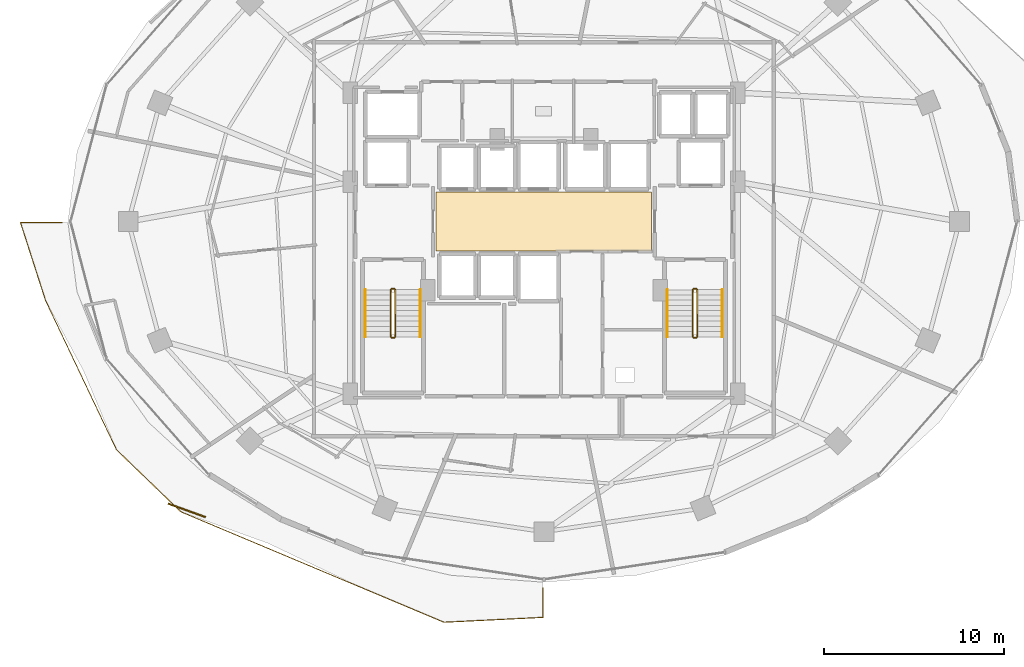
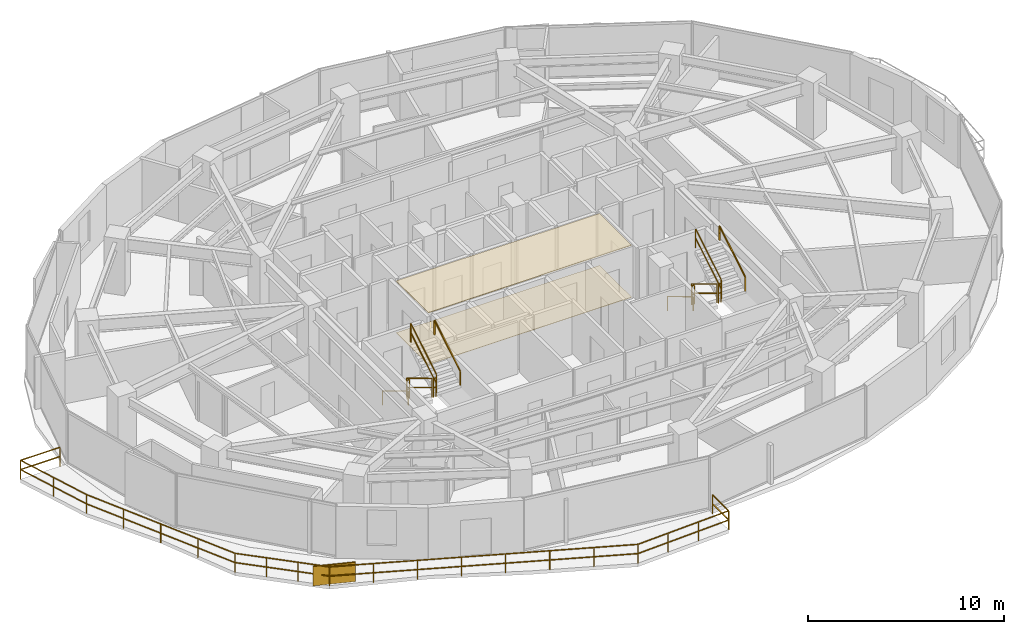
# One storey, part 28 of 30: 14 railings, 2 coverings, 1 shading device.
"""IFC4 building model written with IfcOpenShell, lengths in metres."""

from ifc_helpers import new_model, si_unit, direction, frame, origin, origin_2d, place, context, subcontext, project, spatial, polyline, rectangle, outline, extrude, material, layer, layer_set, type_object, element, save


model = new_model("IFC4")

# Units and contexts
model_context = context("Model", 3, precision=1e-05, world=origin(), true_north=direction((0.0, 1.0)))
body_context = subcontext(model_context, "Body", "Model", "MODEL_VIEW")
ifc_project = project(units=[si_unit("LENGTHUNIT", "METRE"), si_unit("AREAUNIT", "SQUARE_METRE"), si_unit("VOLUMEUNIT", "CUBIC_METRE"), si_unit("PLANEANGLEUNIT", "RADIAN"), si_unit("MASSUNIT", "GRAM", prefix="KILO")], contexts=[model_context])

# Site, building, storey
site_placement = place(None, origin())
site = spatial("IfcSite", under=ifc_project, at=site_placement, CompositionType="ELEMENT")
building_placement = place(site_placement, origin())
building = spatial("IfcBuilding", under=site, at=building_placement, Name="Vorneva Point Tower", CompositionType="ELEMENT")
storey_placement = place(building_placement, frame((0.0, 0.0, 78.800048828125)))
storey = spatial("IfcBuildingStorey", under=building, at=storey_placement, Name="L20", CompositionType="ELEMENT", Elevation=78.800048828125)

# Coverings
ifc_material_1 = material(Name="Perforated acoustic aluminium baffle ceiling", Category="aluminium")
ifc_layer_1 = layer(ifc_material_1, 0.030029296875)
ifc_layer_set_1 = layer_set([ifc_layer_1], Name="Perforated acoustic aluminium baffle ceiling")
covering_type_1 = type_object("IfcCoveringType", Name="COV-CEIL-BAF", PredefinedType="CEILING", material=ifc_layer_set_1)
covering_1_placement = place(storey_placement, frame((0.0, 0.0, 3.2099609375)))
element("IfcCovering", 1, at=covering_1_placement, inside=storey, type_object=covering_type_1, Name="L20 Lift Lobby Acoustic Baffle Ceiling", PredefinedType="CEILING", context=body_context, shape_type="SweptSolid", body=[
    extrude(outline(polyline([(32.02001953125, 24.3701171875), (43.97998046875, 24.3701171875), (43.97998046875, 27.6298828125), (32.02001953125, 27.6298828125), (32.02001953125, 24.3701171875)])), origin(), (0.0, 0.0, 1.0), 0.034912109375),
])
ifc_material_2 = material(Name="Acoustic wool hospitality carpet", Category="textile")
ifc_layer_2 = layer(ifc_material_2, 0.01806640625)
ifc_layer_set_2 = layer_set([ifc_layer_2], Name="Acoustic wool hospitality carpet")
covering_type_2 = type_object("IfcCoveringType", Name="COV-FLR-CRP", PredefinedType="FLOORING", material=ifc_layer_set_2)
covering_2_placement = place(storey_placement, frame((0.0, 0.0, -0.005126953125)))
element("IfcCovering", 2, at=covering_2_placement, inside=storey, type_object=covering_type_2, Name="L20 Lift Lobby Floor Finish", PredefinedType="FLOORING", context=body_context, shape_type="SweptSolid", body=[
    extrude(outline(polyline([(32.02001953125, 24.3701171875), (43.97998046875, 24.3701171875), (43.97998046875, 27.6298828125), (32.02001953125, 27.6298828125), (32.02001953125, 24.3701171875)])), origin(), (0.0, 0.0, 1.0), 0.023193359375),
])

# Railings
ifc_material_3 = material(Name="Pale anodised aluminium", Category="aluminium")
railing_type_1 = type_object("IfcRailingType", Name="RL-BAL-1200", PredefinedType="BALUSTRADE", material=ifc_material_3)
railing_1_placement = place(storey_placement, frame((37.949951171875, 4.047607421875, 0.0)))
element("IfcRailing", 3, at=railing_1_placement, inside=storey, type_object=railing_type_1, Name="L20 Wave Balcony Balustrade SW.1", PredefinedType="BALUSTRADE", context=body_context, shape_type="SweptSolid", body=[
    extrude(rectangle(XDim=0.048095703125, YDim=0.048095703125, at=origin_2d()), frame((0.0, 0.0, 1.17578125), z_axis=(0.0, 1.0, 0.0), x_axis=(-1.0, 0.0, 0.0)), (0.0, 0.0, 1.0), 1.63525390625),
    extrude(rectangle(XDim=0.048095703125, YDim=0.048095703125, at=origin_2d()), frame((0.0, 0.0, 0.60009765625), z_axis=(0.0, 1.0, 0.0), x_axis=(-1.0, 0.0, 0.0)), (0.0, 0.0, 1.0), 1.63525390625),
    extrude(rectangle(XDim=0.0419921875, YDim=0.0419921875, at=origin_2d()), origin(), (0.0, 0.0, 1.0), 1.15185546875),
    extrude(rectangle(XDim=0.0419921875, YDim=0.0419921875, at=origin_2d()), frame((0.0, 1.63525390625, 0.0)), (0.0, 0.0, 1.0), 1.15185546875),
])
railing_2_placement = place(storey_placement, frame((11.28369140625, 25.949951171875, 0.0)))
element("IfcRailing", 4, at=railing_2_placement, inside=storey, type_object=railing_type_1, Name="L20 Wave Balcony Balustrade SW.2", PredefinedType="BALUSTRADE", context=body_context, shape_type="SweptSolid", body=[
    extrude(rectangle(XDim=0.048095703125, YDim=0.048095703125, at=origin_2d()), frame((0.0, 0.0, 1.17578125), z_axis=(-1.0, 0.0, 0.0), x_axis=(0.0, -1.0, 0.0)), (0.0, 0.0, 1.0), 2.317626953125),
    extrude(rectangle(XDim=0.048095703125, YDim=0.048095703125, at=origin_2d()), frame((0.0, 0.0, 0.60009765625), z_axis=(-1.0, 0.0, 0.0), x_axis=(0.0, -1.0, 0.0)), (0.0, 0.0, 1.0), 2.317626953125),
    extrude(rectangle(XDim=0.048095703125, YDim=0.048095703125, at=origin_2d()), frame((-2.317626953125, 0.0, 1.17578125), z_axis=(0.306234224513, -0.951956196333, 0.0), x_axis=(0.951956196333, 0.306234224513, 0.0)), (0.0, 0.0, 1.0), 4.52978515625),
    extrude(rectangle(XDim=0.048095703125, YDim=0.048095703125, at=origin_2d()), frame((-2.317626953125, 0.0, 0.60009765625), z_axis=(0.306234224513, -0.951956196333, 0.0), x_axis=(0.951956196333, 0.306234224513, 0.0)), (0.0, 0.0, 1.0), 4.52978515625),
    extrude(rectangle(XDim=0.048095703125, YDim=0.048095703125, at=origin_2d()), frame((-0.930419921875, -4.312255859375, 1.17578125), z_axis=(0.429165789388, -0.903225733258, 0.0), x_axis=(0.903225733258, 0.429165789388, 0.0)), (0.0, 0.0, 1.0), 9.18505859375),
    extrude(rectangle(XDim=0.048095703125, YDim=0.048095703125, at=origin_2d()), frame((-0.930419921875, -4.312255859375, 0.60009765625), z_axis=(0.429165789388, -0.903225733258, 0.0), x_axis=(0.903225733258, 0.429165789388, 0.0)), (0.0, 0.0, 1.0), 9.18505859375),
    extrude(rectangle(XDim=0.048095703125, YDim=0.048095703125, at=origin_2d()), frame((3.011474609375, -12.6083984375, 1.17578125), z_axis=(0.719945589265, -0.694030509775, 0.0), x_axis=(0.694030509775, 0.719945589265, 0.0)), (0.0, 0.0, 1.0), 4.94580078125),
    extrude(rectangle(XDim=0.048095703125, YDim=0.048095703125, at=origin_2d()), frame((3.011474609375, -12.6083984375, 0.60009765625), z_axis=(0.719945589265, -0.694030509775, 0.0), x_axis=(0.694030509775, 0.719945589265, 0.0)), (0.0, 0.0, 1.0), 4.94580078125),
    extrude(rectangle(XDim=0.048095703125, YDim=0.048095703125, at=origin_2d()), frame((6.572265625, -16.041015625, 1.17578125), z_axis=(0.921993663764, -0.387204963784, 0.0), x_axis=(0.387204963784, 0.921993663764, 0.0)), (0.0, 0.0, 1.0), 15.836181640625),
    extrude(rectangle(XDim=0.048095703125, YDim=0.048095703125, at=origin_2d()), frame((6.572265625, -16.041015625, 0.60009765625), z_axis=(0.921993663764, -0.387204963784, 0.0), x_axis=(0.387204963784, 0.921993663764, 0.0)), (0.0, 0.0, 1.0), 15.836181640625),
    extrude(rectangle(XDim=0.048095703125, YDim=0.048095703125, at=origin_2d()), frame((21.173095703125, -22.1728515625, 1.17578125), z_axis=(0.998789693161, 0.049184843557, 0.0), x_axis=(-0.049184843557, 0.998789693161, 0.0)), (0.0, 0.0, 1.0), 5.499755859375),
    extrude(rectangle(XDim=0.048095703125, YDim=0.048095703125, at=origin_2d()), frame((21.173095703125, -22.1728515625, 0.60009765625), z_axis=(0.998789693161, 0.049184843557, 0.0), x_axis=(-0.049184843557, 0.998789693161, 0.0)), (0.0, 0.0, 1.0), 5.499755859375),
    extrude(rectangle(XDim=0.0419921875, YDim=0.0419921875, at=origin_2d()), origin(), (0.0, 0.0, 1.0), 1.15185546875),
    extrude(rectangle(XDim=0.0419921875, YDim=0.0419921875, at=origin_2d()), frame((-2.317626953125, 0.0, 0.0)), (0.0, 0.0, 1.0), 1.15185546875),
    extrude(rectangle(XDim=0.0419921875, YDim=0.0419921875, at=origin_2d()), frame((-1.6240234375, -2.15625, 0.0)), (0.0, 0.0, 1.0), 1.15185546875),
    extrude(rectangle(XDim=0.0419921875, YDim=0.0419921875, at=origin_2d()), frame((-0.930419921875, -4.312255859375, 0.0)), (0.0, 0.0, 1.0), 1.15185546875),
    extrude(rectangle(XDim=0.0419921875, YDim=0.0419921875, at=origin_2d()), frame((0.05517578125, -6.38623046875, 0.0)), (0.0, 0.0, 1.0), 1.15185546875),
    extrude(rectangle(XDim=0.0419921875, YDim=0.0419921875, at=origin_2d()), frame((1.04052734375, -8.46044921875, 0.0)), (0.0, 0.0, 1.0), 1.15185546875),
    extrude(rectangle(XDim=0.0419921875, YDim=0.0419921875, at=origin_2d()), frame((2.02587890625, -10.534423828125, 0.0)), (0.0, 0.0, 1.0), 1.15185546875),
    extrude(rectangle(XDim=0.0419921875, YDim=0.0419921875, at=origin_2d()), frame((3.011474609375, -12.6083984375, 0.0)), (0.0, 0.0, 1.0), 1.15185546875),
    extrude(rectangle(XDim=0.0419921875, YDim=0.0419921875, at=origin_2d()), frame((4.198486328125, -13.752685546875, 0.0)), (0.0, 0.0, 1.0), 1.15185546875),
    extrude(rectangle(XDim=0.0419921875, YDim=0.0419921875, at=origin_2d()), frame((5.38525390625, -14.896728515625, 0.0)), (0.0, 0.0, 1.0), 1.15185546875),
    extrude(rectangle(XDim=0.0419921875, YDim=0.0419921875, at=origin_2d()), frame((6.572265625, -16.041015625, 0.0)), (0.0, 0.0, 1.0), 1.15185546875),
    extrude(rectangle(XDim=0.0419921875, YDim=0.0419921875, at=origin_2d()), frame((8.658203125, -16.9169921875, 0.0)), (0.0, 0.0, 1.0), 1.15185546875),
    extrude(rectangle(XDim=0.0419921875, YDim=0.0419921875, at=origin_2d()), frame((10.743896484375, -17.79296875, 0.0)), (0.0, 0.0, 1.0), 1.15185546875),
    extrude(rectangle(XDim=0.0419921875, YDim=0.0419921875, at=origin_2d()), frame((12.829833984375, -18.6689453125, 0.0)), (0.0, 0.0, 1.0), 1.15185546875),
    extrude(rectangle(XDim=0.0419921875, YDim=0.0419921875, at=origin_2d()), frame((14.91552734375, -19.544921875, 0.0)), (0.0, 0.0, 1.0), 1.15185546875),
    extrude(rectangle(XDim=0.0419921875, YDim=0.0419921875, at=origin_2d()), frame((17.00146484375, -20.4208984375, 0.0)), (0.0, 0.0, 1.0), 1.15185546875),
    extrude(rectangle(XDim=0.0419921875, YDim=0.0419921875, at=origin_2d()), frame((19.087158203125, -21.296875, 0.0)), (0.0, 0.0, 1.0), 1.15185546875),
    extrude(rectangle(XDim=0.0419921875, YDim=0.0419921875, at=origin_2d()), frame((21.173095703125, -22.1728515625, 0.0)), (0.0, 0.0, 1.0), 1.15185546875),
    extrude(rectangle(XDim=0.0419921875, YDim=0.0419921875, at=origin_2d()), frame((23.004150390625, -22.082763671875, 0.0)), (0.0, 0.0, 1.0), 1.15185546875),
    extrude(rectangle(XDim=0.0419921875, YDim=0.0419921875, at=origin_2d()), frame((24.835205078125, -21.992431640625, 0.0)), (0.0, 0.0, 1.0), 1.15185546875),
    extrude(rectangle(XDim=0.0419921875, YDim=0.0419921875, at=origin_2d()), frame((26.666259765625, -21.90234375, 0.0)), (0.0, 0.0, 1.0), 1.15185546875),
])
ifc_material_4 = material(Name="Brushed stainless steel S304", Category="steel")
railing_type_2 = type_object("IfcRailingType", Name="RL-HND-920", PredefinedType="HANDRAIL", material=ifc_material_4)
railing_3_placement = place(storey_placement, frame((28.10009765625, 22.219970703125, 0.175048828125)))
element("IfcRailing", 5, at=railing_3_placement, inside=storey, type_object=railing_type_2, Name="L20 ST1 stair handrail 1", PredefinedType="HANDRAIL", context=body_context, shape_type="SweptSolid", body=[
    extrude(rectangle(XDim=0.048095703125, YDim=0.048095703125, at=origin_2d()), frame((0.0, 0.0, 0.8759765625), z_axis=(0.0, -0.85618277418, 0.516673066065), x_axis=(1.0, 0.0, 0.0)), (0.0, 0.0, 1.0), 3.04833984375),
    extrude(rectangle(XDim=0.0419921875, YDim=0.0419921875, at=origin_2d()), origin(), (0.0, 0.0, 1.0), 0.851806640625),
    extrude(rectangle(XDim=0.0419921875, YDim=0.0419921875, at=origin_2d()), frame((0.0, -2.60986328125, 1.574951171875)), (0.0, 0.0, 1.0), 0.851806640625),
])
railing_4_placement = place(storey_placement, frame((31.14990234375, 19.610107421875, 1.925048828125)))
element("IfcRailing", 6, at=railing_4_placement, inside=storey, type_object=railing_type_2, Name="L20 ST1 stair handrail 2", PredefinedType="HANDRAIL", context=body_context, shape_type="SweptSolid", body=[
    extrude(rectangle(XDim=0.048095703125, YDim=0.048095703125, at=origin_2d()), frame((0.0, 0.0, 0.8759765625), z_axis=(0.0, 0.85618277418, 0.516673066065), x_axis=(-1.0, 0.0, 0.0)), (0.0, 0.0, 1.0), 3.04833984375),
    extrude(rectangle(XDim=0.0419921875, YDim=0.0419921875, at=origin_2d()), origin(), (0.0, 0.0, 1.0), 0.851806640625),
    extrude(rectangle(XDim=0.0419921875, YDim=0.0419921875, at=origin_2d()), frame((0.0, 2.60986328125, 1.574951171875)), (0.0, 0.0, 1.0), 0.851806640625),
])
railing_5_placement = place(storey_placement, frame((44.85009765625, 22.219970703125, 0.175048828125)))
element("IfcRailing", 7, at=railing_5_placement, inside=storey, type_object=railing_type_2, Name="L20 ST2 stair handrail 1", PredefinedType="HANDRAIL", context=body_context, shape_type="SweptSolid", body=[
    extrude(rectangle(XDim=0.048095703125, YDim=0.048095703125, at=origin_2d()), frame((0.0, 0.0, 0.8759765625), z_axis=(0.0, -0.85618277418, 0.516673066065), x_axis=(1.0, 0.0, 0.0)), (0.0, 0.0, 1.0), 3.04833984375),
    extrude(rectangle(XDim=0.0419921875, YDim=0.0419921875, at=origin_2d()), origin(), (0.0, 0.0, 1.0), 0.851806640625),
    extrude(rectangle(XDim=0.0419921875, YDim=0.0419921875, at=origin_2d()), frame((0.0, -2.60986328125, 1.574951171875)), (0.0, 0.0, 1.0), 0.851806640625),
])
railing_6_placement = place(storey_placement, frame((47.89990234375, 19.610107421875, 1.925048828125)))
element("IfcRailing", 8, at=railing_6_placement, inside=storey, type_object=railing_type_2, Name="L20 ST2 stair handrail 2", PredefinedType="HANDRAIL", context=body_context, shape_type="SweptSolid", body=[
    extrude(rectangle(XDim=0.048095703125, YDim=0.048095703125, at=origin_2d()), frame((0.0, 0.0, 0.8759765625), z_axis=(0.0, 0.85618277418, 0.516673066065), x_axis=(-1.0, 0.0, 0.0)), (0.0, 0.0, 1.0), 3.04833984375),
    extrude(rectangle(XDim=0.0419921875, YDim=0.0419921875, at=origin_2d()), origin(), (0.0, 0.0, 1.0), 0.851806640625),
    extrude(rectangle(XDim=0.0419921875, YDim=0.0419921875, at=origin_2d()), frame((0.0, 2.60986328125, 1.574951171875)), (0.0, 0.0, 1.0), 0.851806640625),
])
railing_type_3 = type_object("IfcRailingType", Name="RL-STG-1100", PredefinedType="GUARDRAIL", material=ifc_material_4)
railing_7_placement = place(storey_placement, frame((29.5, 22.219970703125, 0.175048828125)))
element("IfcRailing", 9, at=railing_7_placement, inside=storey, type_object=railing_type_3, Name="L20 ST1 stair guard 1", PredefinedType="GUARDRAIL", context=body_context, shape_type="SweptSolid", body=[
    extrude(rectangle(XDim=0.048095703125, YDim=0.048095703125, at=origin_2d()), frame((0.0, 0.0, 1.17578125), z_axis=(0.0, -0.85618277418, 0.516673066065), x_axis=(1.0, 0.0, 0.0)), (0.0, 0.0, 1.0), 3.04833984375),
    extrude(rectangle(XDim=0.048095703125, YDim=0.048095703125, at=origin_2d()), frame((0.0, 0.0, 0.60009765625), z_axis=(0.0, -0.85618277418, 0.516673066065), x_axis=(1.0, 0.0, 0.0)), (0.0, 0.0, 1.0), 3.04833984375),
    extrude(rectangle(XDim=0.0419921875, YDim=0.0419921875, at=origin_2d()), origin(), (0.0, 0.0, 1.0), 1.15185546875),
    extrude(rectangle(XDim=0.0419921875, YDim=0.0419921875, at=origin_2d()), frame((0.0, -2.60986328125, 1.574951171875)), (0.0, 0.0, 1.0), 1.15185546875),
])
railing_8_placement = place(storey_placement, frame((29.550048828125, 19.56005859375, 1.75)))
element("IfcRailing", 10, at=railing_8_placement, inside=storey, type_object=railing_type_3, Name="L20 ST1 stair guard 2", PredefinedType="GUARDRAIL", context=body_context, shape_type="SweptSolid", body=[
    extrude(rectangle(XDim=0.048095703125, YDim=0.048095703125, at=origin_2d()), frame((0.0, 0.0, 1.17578125), z_axis=(1.0, 0.0, 0.0), x_axis=(0.0, 1.0, 0.0)), (0.0, 0.0, 1.0), 0.14990234375),
    extrude(rectangle(XDim=0.048095703125, YDim=0.048095703125, at=origin_2d()), frame((0.0, 0.0, 0.60009765625), z_axis=(1.0, 0.0, 0.0), x_axis=(0.0, 1.0, 0.0)), (0.0, 0.0, 1.0), 0.14990234375),
    extrude(rectangle(XDim=0.0419921875, YDim=0.0419921875, at=origin_2d()), origin(), (0.0, 0.0, 1.0), 1.15185546875),
    extrude(rectangle(XDim=0.0419921875, YDim=0.0419921875, at=origin_2d()), frame((0.14990234375, 0.0, 0.0)), (0.0, 0.0, 1.0), 1.15185546875),
])
railing_9_placement = place(storey_placement, frame((29.75, 19.610107421875, 1.925048828125)))
element("IfcRailing", 11, at=railing_9_placement, inside=storey, type_object=railing_type_3, Name="L20 ST1 stair guard 3", PredefinedType="GUARDRAIL", context=body_context, shape_type="SweptSolid", body=[
    extrude(rectangle(XDim=0.048095703125, YDim=0.048095703125, at=origin_2d()), frame((0.0, 0.0, 1.17578125), z_axis=(0.0, 0.85618277418, 0.516673066065), x_axis=(-1.0, 0.0, 0.0)), (0.0, 0.0, 1.0), 3.04833984375),
    extrude(rectangle(XDim=0.048095703125, YDim=0.048095703125, at=origin_2d()), frame((0.0, 0.0, 0.60009765625), z_axis=(0.0, 0.85618277418, 0.516673066065), x_axis=(-1.0, 0.0, 0.0)), (0.0, 0.0, 1.0), 3.04833984375),
    extrude(rectangle(XDim=0.0419921875, YDim=0.0419921875, at=origin_2d()), origin(), (0.0, 0.0, 1.0), 1.15185546875),
    extrude(rectangle(XDim=0.0419921875, YDim=0.0419921875, at=origin_2d()), frame((0.0, 2.60986328125, 1.574951171875)), (0.0, 0.0, 1.0), 1.15185546875),
])
railing_10_placement = place(storey_placement, frame((29.550048828125, 22.27001953125, 0.0)))
element("IfcRailing", 12, at=railing_10_placement, inside=storey, type_object=railing_type_3, Name="L20 ST1 stair guard 4", PredefinedType="GUARDRAIL", context=body_context, shape_type="SweptSolid", body=[
    extrude(rectangle(XDim=0.048095703125, YDim=0.048095703125, at=origin_2d()), frame((0.0, 0.0, 1.17578125), z_axis=(1.0, 0.0, 0.0), x_axis=(0.0, 1.0, 0.0)), (0.0, 0.0, 1.0), 0.14990234375),
    extrude(rectangle(XDim=0.048095703125, YDim=0.048095703125, at=origin_2d()), frame((0.0, 0.0, 0.60009765625), z_axis=(1.0, 0.0, 0.0), x_axis=(0.0, 1.0, 0.0)), (0.0, 0.0, 1.0), 0.14990234375),
    extrude(rectangle(XDim=0.0419921875, YDim=0.0419921875, at=origin_2d()), origin(), (0.0, 0.0, 1.0), 1.15185546875),
    extrude(rectangle(XDim=0.0419921875, YDim=0.0419921875, at=origin_2d()), frame((0.14990234375, 0.0, 0.0)), (0.0, 0.0, 1.0), 1.15185546875),
])
railing_11_placement = place(storey_placement, frame((46.25, 22.219970703125, 0.175048828125)))
element("IfcRailing", 13, at=railing_11_placement, inside=storey, type_object=railing_type_3, Name="L20 ST2 stair guard 1", PredefinedType="GUARDRAIL", context=body_context, shape_type="SweptSolid", body=[
    extrude(rectangle(XDim=0.048095703125, YDim=0.048095703125, at=origin_2d()), frame((0.0, 0.0, 1.17578125), z_axis=(0.0, -0.85618277418, 0.516673066065), x_axis=(1.0, 0.0, 0.0)), (0.0, 0.0, 1.0), 3.04833984375),
    extrude(rectangle(XDim=0.048095703125, YDim=0.048095703125, at=origin_2d()), frame((0.0, 0.0, 0.60009765625), z_axis=(0.0, -0.85618277418, 0.516673066065), x_axis=(1.0, 0.0, 0.0)), (0.0, 0.0, 1.0), 3.04833984375),
    extrude(rectangle(XDim=0.0419921875, YDim=0.0419921875, at=origin_2d()), origin(), (0.0, 0.0, 1.0), 1.15185546875),
    extrude(rectangle(XDim=0.0419921875, YDim=0.0419921875, at=origin_2d()), frame((0.0, -2.60986328125, 1.574951171875)), (0.0, 0.0, 1.0), 1.15185546875),
])
railing_12_placement = place(storey_placement, frame((46.300048828125, 19.56005859375, 1.75)))
element("IfcRailing", 14, at=railing_12_placement, inside=storey, type_object=railing_type_3, Name="L20 ST2 stair guard 2", PredefinedType="GUARDRAIL", context=body_context, shape_type="SweptSolid", body=[
    extrude(rectangle(XDim=0.048095703125, YDim=0.048095703125, at=origin_2d()), frame((0.0, 0.0, 1.17578125), z_axis=(1.0, 0.0, 0.0), x_axis=(0.0, 1.0, 0.0)), (0.0, 0.0, 1.0), 0.14990234375),
    extrude(rectangle(XDim=0.048095703125, YDim=0.048095703125, at=origin_2d()), frame((0.0, 0.0, 0.60009765625), z_axis=(1.0, 0.0, 0.0), x_axis=(0.0, 1.0, 0.0)), (0.0, 0.0, 1.0), 0.14990234375),
    extrude(rectangle(XDim=0.0419921875, YDim=0.0419921875, at=origin_2d()), origin(), (0.0, 0.0, 1.0), 1.15185546875),
    extrude(rectangle(XDim=0.0419921875, YDim=0.0419921875, at=origin_2d()), frame((0.14990234375, 0.0, 0.0)), (0.0, 0.0, 1.0), 1.15185546875),
])
railing_13_placement = place(storey_placement, frame((46.5, 19.610107421875, 1.925048828125)))
element("IfcRailing", 15, at=railing_13_placement, inside=storey, type_object=railing_type_3, Name="L20 ST2 stair guard 3", PredefinedType="GUARDRAIL", context=body_context, shape_type="SweptSolid", body=[
    extrude(rectangle(XDim=0.048095703125, YDim=0.048095703125, at=origin_2d()), frame((0.0, 0.0, 1.17578125), z_axis=(0.0, 0.85618277418, 0.516673066065), x_axis=(-1.0, 0.0, 0.0)), (0.0, 0.0, 1.0), 3.04833984375),
    extrude(rectangle(XDim=0.048095703125, YDim=0.048095703125, at=origin_2d()), frame((0.0, 0.0, 0.60009765625), z_axis=(0.0, 0.85618277418, 0.516673066065), x_axis=(-1.0, 0.0, 0.0)), (0.0, 0.0, 1.0), 3.04833984375),
    extrude(rectangle(XDim=0.0419921875, YDim=0.0419921875, at=origin_2d()), origin(), (0.0, 0.0, 1.0), 1.15185546875),
    extrude(rectangle(XDim=0.0419921875, YDim=0.0419921875, at=origin_2d()), frame((0.0, 2.60986328125, 1.574951171875)), (0.0, 0.0, 1.0), 1.15185546875),
])
railing_14_placement = place(storey_placement, frame((46.300048828125, 22.27001953125, 0.0)))
element("IfcRailing", 16, at=railing_14_placement, inside=storey, type_object=railing_type_3, Name="L20 ST2 stair guard 4", PredefinedType="GUARDRAIL", context=body_context, shape_type="SweptSolid", body=[
    extrude(rectangle(XDim=0.048095703125, YDim=0.048095703125, at=origin_2d()), frame((0.0, 0.0, 1.17578125), z_axis=(1.0, 0.0, 0.0), x_axis=(0.0, 1.0, 0.0)), (0.0, 0.0, 1.0), 0.14990234375),
    extrude(rectangle(XDim=0.048095703125, YDim=0.048095703125, at=origin_2d()), frame((0.0, 0.0, 0.60009765625), z_axis=(1.0, 0.0, 0.0), x_axis=(0.0, 1.0, 0.0)), (0.0, 0.0, 1.0), 0.14990234375),
    extrude(rectangle(XDim=0.0419921875, YDim=0.0419921875, at=origin_2d()), origin(), (0.0, 0.0, 1.0), 1.15185546875),
    extrude(rectangle(XDim=0.0419921875, YDim=0.0419921875, at=origin_2d()), frame((0.14990234375, 0.0, 0.0)), (0.0, 0.0, 1.0), 1.15185546875),
])

# Shading device
shading_device_type = type_object("IfcShadingDeviceType", Name="SHD-JAL-1200", PredefinedType="JALOUSIE", material=ifc_material_3)
shading_device_placement = place(storey_placement, frame((18.195556640625, 9.986328125, -0.02001953125), z_axis=(0.0, 0.0, 1.0), x_axis=(0.940294067611, -0.340363139037, 0.0)))
element("IfcShadingDevice", 17, at=shading_device_placement, inside=storey, type_object=shading_device_type, Name="L20 Balcony Vertical-Greenery Planter Screen SW.2", PredefinedType="JALOUSIE", context=body_context, shape_type="SweptSolid", body=[
    extrude(rectangle(XDim=2.199951171875, YDim=0.080078125, at=origin_2d()), origin(), (0.0, 0.0, 1.0), 1.199951171875),
])

save(model, "model.ifc")
